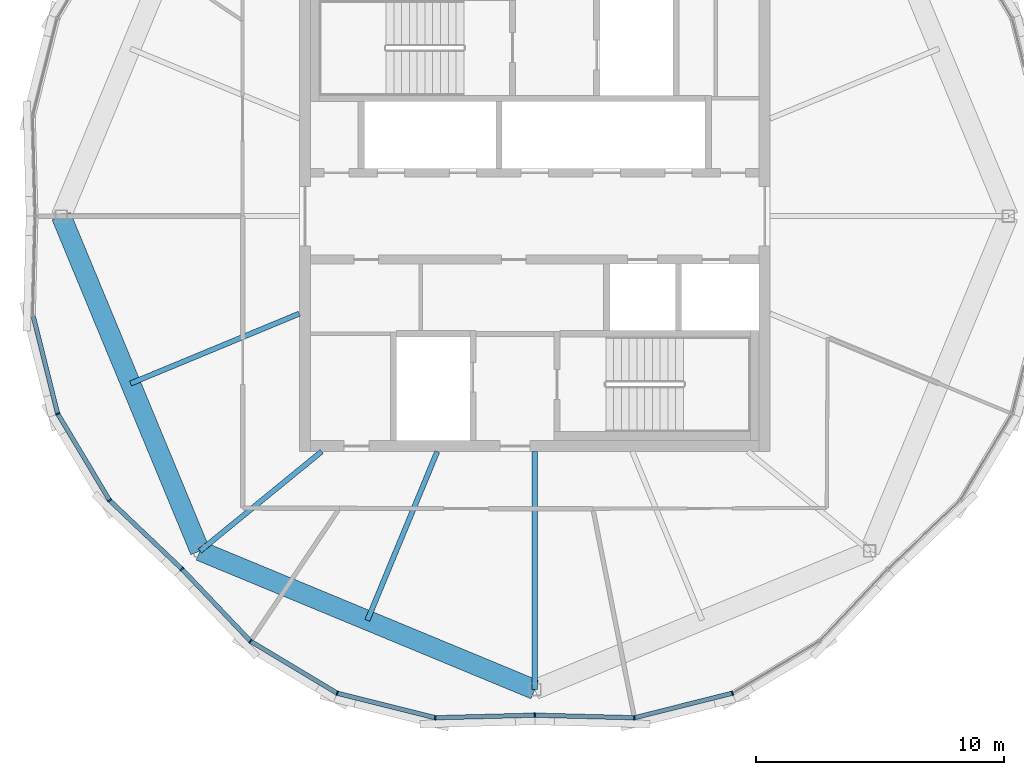
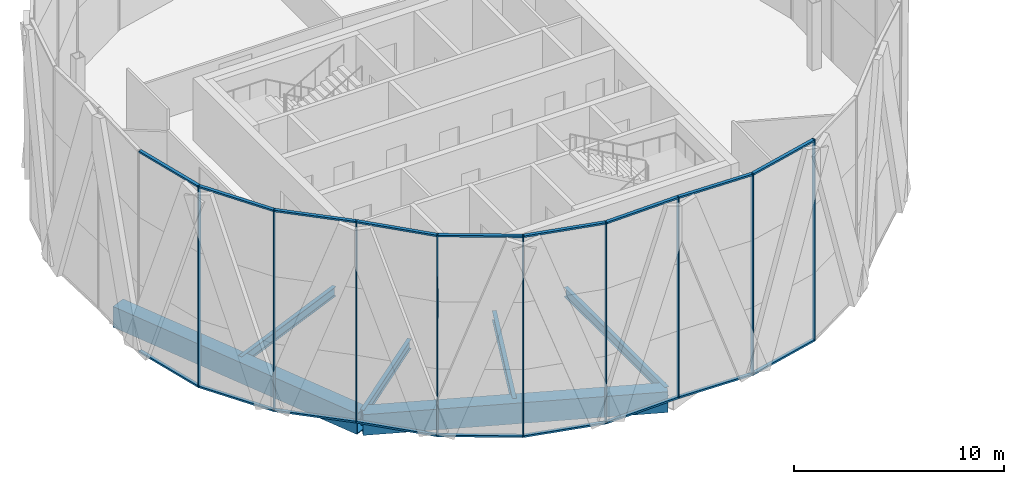
# One storey, part 3 of 22: 27 members, 6 beams, 3 elements without a shape of their own.
"""IFC4 building model written with IfcOpenShell, lengths in metres."""

from ifc_helpers import new_model, si_unit, direction, frame, origin, origin_2d, place, context, subcontext, project, spatial, rectangle, hollow_rectangle, i_section, extrude, material, material_profile, profile_set, type_object, element, aggregate, save


model = new_model("IFC4")

# Units and contexts
model_context = context("Model", 3, precision=1e-05, world=origin(), true_north=direction((0.0, 1.0)))
body_context = subcontext(model_context, "Body", "Model", "MODEL_VIEW")
ifc_project = project(units=[si_unit("LENGTHUNIT", "METRE"), si_unit("AREAUNIT", "SQUARE_METRE"), si_unit("VOLUMEUNIT", "CUBIC_METRE"), si_unit("PLANEANGLEUNIT", "RADIAN"), si_unit("MASSUNIT", "GRAM", prefix="KILO")], contexts=[model_context])

# Site, building, storey
site_placement = place(None, origin())
site = spatial("IfcSite", under=ifc_project, at=site_placement, CompositionType="ELEMENT")
building_placement = place(site_placement, origin())
building = spatial("IfcBuilding", under=site, at=building_placement, Name="Ogive Gate Towers", CompositionType="ELEMENT")
storey_placement = place(building_placement, frame((0.0, 0.0, 228.89990234375)))
storey = spatial("IfcBuildingStorey", under=building, at=storey_placement, Name="L54", CompositionType="ELEMENT", Elevation=228.89990234375)

# Beams
ifc_material_1 = material(Name="Steel SM460", Category="steel")
ifc_material_profile_1 = material_profile(ifc_material_1, hollow_rectangle(XDim=0.800048828125, YDim=1.199951171875, WallThickness=0.050048828125, at=origin_2d()), Name="BX 1200x800x50")
ifc_profile_set_1 = profile_set([ifc_material_profile_1], Name="Steel SM460")
beam_type_1 = type_object("IfcBeamType", Name="Edge girder BX 1200x800x50", PredefinedType="BEAM", material=ifc_profile_set_1)
for number, where, z_axis, x_axis, name in (
    (1, (-49.5126953125, -13.5126953125, -0.89990234375), (0.923872994947, -0.38269921506, 0.0), (0.38269921506, 0.923872994947, 0.0), "T1/L54/SBM017"),
    (2, (-55.110107421875, 0.0, -0.89990234375), (0.38269921506, -0.923872994947, 0.0), (0.923872994947, 0.38269921506, 0.0), "T1/L54/SBM024"),
):
    element("IfcBeam", number, at=place(storey_placement, frame(where, z_axis=z_axis, x_axis=x_axis)), inside=storey, type_object=beam_type_1, Name=name, PredefinedType="BEAM", context=body_context, shape_type="SweptSolid", body=[
        extrude(hollow_rectangle(XDim=0.800048828125, YDim=1.199951171875, WallThickness=0.050048828125, at=origin_2d()), origin(), (0.0, 0.0, 1.0), 14.626220703125),
    ])
ifc_material_2 = material(Name="Steel SM355", Category="steel")
ifc_material_profile_2 = material_profile(ifc_material_2, i_section(OverallWidth=0.2099609375, OverallDepth=0.550048828125, WebThickness=0.010986328125, FlangeThickness=0.01708984375, FilletRadius=0.02392578125, at=origin_2d()), Name="IPE 550")
ifc_profile_set_2 = profile_set([ifc_material_profile_2], Name="Steel SM355")
beam_type_2 = type_object("IfcBeamType", Name="Radial floor beam IPE 550", PredefinedType="BEAM", material=ifc_profile_set_2)
beam_1_placement = place(storey_placement, frame((-44.60009765625, -9.5, -0.574951171875), z_axis=(-0.774474926523, -0.632604606517, 0.0), x_axis=(0.632604606517, -0.774474926523, 0.0)))
element("IfcBeam", 3, at=beam_1_placement, inside=storey, type_object=beam_type_2, Name="T1/L54/SBM001", PredefinedType="BEAM", context=body_context, shape_type="SweptSolid", body=[
    extrude(i_section(OverallWidth=0.2099609375, OverallDepth=0.550048828125, WebThickness=0.010986328125, FlangeThickness=0.01708984375, FilletRadius=0.02392578125, at=origin_2d()), origin(), (0.0, 0.0, 1.0), 6.343017578125),
])
beam_2_placement = place(storey_placement, frame((-39.93505859375, -9.5, -0.574951171875), z_axis=(-0.382667649558, -0.923886069806, 0.0), x_axis=(0.923886069806, -0.382667649558, 0.0)))
element("IfcBeam", 4, at=beam_2_placement, inside=storey, type_object=beam_type_2, Name="T1/L54/SBM002", PredefinedType="BEAM", context=body_context, shape_type="SweptSolid", body=[
    extrude(i_section(OverallWidth=0.2099609375, OverallDepth=0.550048828125, WebThickness=0.010986328125, FlangeThickness=0.01708984375, FilletRadius=0.02392578125, at=origin_2d()), origin(), (0.0, 0.0, 1.0), 7.372802734375),
])
beam_3_placement = place(storey_placement, frame((-36.0, -9.5, -0.574951171875), z_axis=(0.0, -1.0, 0.0), x_axis=(1.0, 0.0, 0.0)))
element("IfcBeam", 5, at=beam_3_placement, inside=storey, type_object=beam_type_2, Name="T1/L54/SBM003", PredefinedType="BEAM", context=body_context, shape_type="SweptSolid", body=[
    extrude(i_section(OverallWidth=0.2099609375, OverallDepth=0.550048828125, WebThickness=0.010986328125, FlangeThickness=0.01708984375, FilletRadius=0.02392578125, at=origin_2d()), origin(), (0.0, 0.0, 1.0), 9.610107421875),
])
beam_4_placement = place(storey_placement, frame((-45.5, -3.93505859375, -0.574951171875), z_axis=(-0.923886069806, -0.382667649558, 0.0), x_axis=(0.382667649558, -0.923886069806, 0.0)))
element("IfcBeam", 6, at=beam_4_placement, inside=storey, type_object=beam_type_2, Name="T1/L54/SBM016", PredefinedType="BEAM", context=body_context, shape_type="SweptSolid", body=[
    extrude(i_section(OverallWidth=0.2099609375, OverallDepth=0.550048828125, WebThickness=0.010986328125, FlangeThickness=0.01708984375, FilletRadius=0.02392578125, at=origin_2d()), origin(), (0.0, 0.0, 1.0), 7.372802734375),
])

# Curtain wall, members
ifc_material_3 = material(Name="Pale metal aluminium", Category="aluminium")
curtain_wall_type = type_object("IfcCurtainWallType", Name="Tower unitised wall, high zone", PredefinedType="NOTDEFINED", material=ifc_material_3)
curtain_wall_1_placement = place(storey_placement, origin())
curtain_wall_1 = element("IfcCurtainWall", 7, at=curtain_wall_1_placement, inside=storey, type_object=curtain_wall_type, Name="CW2 T1 ECW05", PredefinedType="NOTDEFINED")
ifc_material_profile_3 = material_profile(ifc_material_3, rectangle(XDim=0.179931640625, YDim=0.06005859375, at=origin_2d()), Name="60 x 180 aluminium box")
ifc_profile_set_3 = profile_set([ifc_material_profile_3], Name="Pale metal aluminium")
member_type_1 = type_object("IfcMemberType", Name="Tower unitised wall, high zone mullion 60 x 180", PredefinedType="MULLION", material=ifc_profile_set_3)
member_1_placement = place(storey_placement, frame((-55.254638671875, -7.9755859375, -0.2998046875), z_axis=(0.0, 0.0, 1.0), x_axis=(-0.923872853285, -0.382699557047, 0.0)))
member_1 = element("IfcMember", 8, at=member_1_placement, type_object=member_type_1, Name="CW2 mullion", PredefinedType="MULLION", context=body_context, shape_type="SweptSolid", body=[
    extrude(rectangle(XDim=0.179931640625, YDim=0.06005859375, at=origin_2d()), origin(), (0.0, 0.0, 1.0), 11.699951171875),
])
member_2_placement = place(storey_placement, frame((-53.15771484375, -11.473876953125, -0.2998046875), z_axis=(0.0, 0.0, 1.0), x_axis=(-0.780201191521, -0.625528657017, 0.0)))
member_2 = element("IfcMember", 9, at=member_2_placement, type_object=member_type_1, Name="CW2 mullion", PredefinedType="MULLION", context=body_context, shape_type="SweptSolid", body=[
    extrude(rectangle(XDim=0.179931640625, YDim=0.06005859375, at=origin_2d()), origin(), (0.0, 0.0, 1.0), 11.699951171875),
])
member_3_placement = place(storey_placement, frame((-50.2412109375, -14.240966796875, -0.2998046875), z_axis=(0.0, 0.0, 1.0), x_axis=(-0.688329254932, -0.725398398678, 0.0)))
member_3 = element("IfcMember", 10, at=member_3_placement, type_object=member_type_1, Name="CW2 mullion", PredefinedType="MULLION", context=body_context, shape_type="SweptSolid", body=[
    extrude(rectangle(XDim=0.179931640625, YDim=0.06005859375, at=origin_2d()), origin(), (0.0, 0.0, 1.0), 11.699951171875),
])

curtain_wall_2_placement = place(storey_placement, origin())
curtain_wall_2 = element("IfcCurtainWall", 11, at=curtain_wall_2_placement, inside=storey, type_object=curtain_wall_type, Name="CW2 T1 ECW06", PredefinedType="NOTDEFINED")
member_4_placement = place(storey_placement, frame((-47.473876953125, -17.15771484375, -0.2998046875), z_axis=(0.0, 0.0, 1.0), x_axis=(-0.625528657017, -0.780201191521, 0.0)))
member_4 = element("IfcMember", 12, at=member_4_placement, type_object=member_type_1, Name="CW2 mullion", PredefinedType="MULLION", context=body_context, shape_type="SweptSolid", body=[
    extrude(rectangle(XDim=0.179931640625, YDim=0.06005859375, at=origin_2d()), origin(), (0.0, 0.0, 1.0), 11.699951171875),
])
member_5_placement = place(storey_placement, frame((-43.9755859375, -19.254638671875, -0.2998046875), z_axis=(0.0, 0.0, 1.0), x_axis=(-0.382699557047, -0.923872853285, 0.0)))
member_5 = element("IfcMember", 13, at=member_5_placement, type_object=member_type_1, Name="CW2 mullion", PredefinedType="MULLION", context=body_context, shape_type="SweptSolid", body=[
    extrude(rectangle(XDim=0.179931640625, YDim=0.06005859375, at=origin_2d()), origin(), (0.0, 0.0, 1.0), 11.699951171875),
])
member_6_placement = place(storey_placement, frame((-40.01904296875, -20.24560546875, -0.2998046875), z_axis=(0.0, 0.0, 1.0), x_axis=(-0.109369998011, -0.994001108417, 0.0)))
member_6 = element("IfcMember", 14, at=member_6_placement, type_object=member_type_1, Name="CW2 mullion", PredefinedType="MULLION", context=body_context, shape_type="SweptSolid", body=[
    extrude(rectangle(XDim=0.179931640625, YDim=0.06005859375, at=origin_2d()), origin(), (0.0, 0.0, 1.0), 11.699951171875),
])
member_7_placement = place(storey_placement, frame((-36.000244140625, -20.139892578125, -0.2998046875), z_axis=(0.0, 0.0, 1.0), x_axis=(0.026229290207, -0.999655952983, 0.0)))
member_7 = element("IfcMember", 15, at=member_7_placement, type_object=member_type_1, Name="CW2 mullion", PredefinedType="MULLION", context=body_context, shape_type="SweptSolid", body=[
    extrude(rectangle(XDim=0.179931640625, YDim=0.06005859375, at=origin_2d()), origin(), (0.0, 0.0, 1.0), 11.699951171875),
])

curtain_wall_3_placement = place(storey_placement, origin())
curtain_wall_3 = element("IfcCurtainWall", 16, at=curtain_wall_3_placement, inside=storey, type_object=curtain_wall_type, Name="CW2 T1 ECW07", PredefinedType="NOTDEFINED")
member_8_placement = place(storey_placement, frame((-31.98095703125, -20.24560546875, -0.2998046875), z_axis=(0.0, 0.0, 1.0), x_axis=(0.109369998011, -0.994001108417, 0.0)))
member_8 = element("IfcMember", 17, at=member_8_placement, type_object=member_type_1, Name="CW2 mullion", PredefinedType="MULLION", context=body_context, shape_type="SweptSolid", body=[
    extrude(rectangle(XDim=0.179931640625, YDim=0.06005859375, at=origin_2d()), origin(), (0.0, 0.0, 1.0), 11.699951171875),
])
member_9_placement = place(storey_placement, frame((-28.0244140625, -19.254638671875, -0.2998046875), z_axis=(0.0, 0.0, 1.0), x_axis=(0.382699557047, -0.923872853285, 0.0)))
member_9 = element("IfcMember", 18, at=member_9_placement, type_object=member_type_1, Name="CW2 mullion", PredefinedType="MULLION", context=body_context, shape_type="SweptSolid", body=[
    extrude(rectangle(XDim=0.179931640625, YDim=0.06005859375, at=origin_2d()), origin(), (0.0, 0.0, 1.0), 11.699951171875),
])

# Member
ifc_material_profile_4 = material_profile(ifc_material_3, rectangle(XDim=0.179931640625, YDim=0.10009765625, at=origin_2d()), Name="100 x 180 aluminium box")
ifc_profile_set_4 = profile_set([ifc_material_profile_4], Name="Pale metal aluminium")
member_type_2 = type_object("IfcMemberType", Name="Tower unitised wall, high zone transom 100 x 180", PredefinedType="USERDEFINED", material=ifc_profile_set_4)
member_10_placement = place(storey_placement, frame((-56.238525390625, -4.046875, 11.35009765625), z_axis=(0.242949839653, -0.970038852527, 0.0), x_axis=(0.970038852527, 0.242949839653, 0.0)))
member_10 = element("IfcMember", 19, at=member_10_placement, type_object=member_type_2, Name="CW2 transom", ObjectType="TRANSOM", PredefinedType="USERDEFINED", context=body_context, shape_type="SweptSolid", body=[
    extrude(rectangle(XDim=0.179931640625, YDim=0.10009765625, at=origin_2d()), origin(), (0.0, 0.0, 1.0), 4.021728515625),
])

member_11_placement = place(storey_placement, frame((-56.238525390625, -4.046875, -0.25), z_axis=(0.242949839653, -0.970038852527, 0.0), x_axis=(0.970038852527, 0.242949839653, 0.0)))
member_11 = element("IfcMember", 20, at=member_11_placement, type_object=member_type_2, Name="CW2 transom", ObjectType="TRANSOM", PredefinedType="USERDEFINED", context=body_context, shape_type="SweptSolid", body=[
    extrude(rectangle(XDim=0.179931640625, YDim=0.10009765625, at=origin_2d()), origin(), (0.0, 0.0, 1.0), 4.021728515625),
])

member_12_placement = place(storey_placement, frame((-55.239990234375, -8.0, 11.35009765625), z_axis=(0.514192185894, -0.857674994369, 0.0), x_axis=(0.857674994369, 0.514192185894, 0.0)))
member_12 = element("IfcMember", 21, at=member_12_placement, type_object=member_type_2, Name="CW2 transom", ObjectType="TRANSOM", PredefinedType="USERDEFINED", context=body_context, shape_type="SweptSolid", body=[
    extrude(rectangle(XDim=0.179931640625, YDim=0.10009765625, at=origin_2d()), origin(), (0.0, 0.0, 1.0), 4.021484375),
])

member_13_placement = place(storey_placement, frame((-55.239990234375, -8.0, -0.25), z_axis=(0.514192185894, -0.857674994369, 0.0), x_axis=(0.857674994369, 0.514192185894, 0.0)))
member_13 = element("IfcMember", 22, at=member_13_placement, type_object=member_type_2, Name="CW2 transom", ObjectType="TRANSOM", PredefinedType="USERDEFINED", context=body_context, shape_type="SweptSolid", body=[
    extrude(rectangle(XDim=0.179931640625, YDim=0.10009765625, at=origin_2d()), origin(), (0.0, 0.0, 1.0), 4.021484375),
])

member_14_placement = place(storey_placement, frame((-53.13671875, -11.493408203125, 11.35009765625), z_axis=(0.725384001272, -0.688344427375, 0.0), x_axis=(0.688344427375, 0.725384001272, 0.0)))
member_14 = element("IfcMember", 23, at=member_14_placement, type_object=member_type_2, Name="CW2 transom", ObjectType="TRANSOM", PredefinedType="USERDEFINED", context=body_context, shape_type="SweptSolid", body=[
    extrude(rectangle(XDim=0.179931640625, YDim=0.10009765625, at=origin_2d()), origin(), (0.0, 0.0, 1.0), 3.96142578125),
])

member_15_placement = place(storey_placement, frame((-53.13671875, -11.493408203125, -0.25), z_axis=(0.725384001272, -0.688344427375, 0.0), x_axis=(0.688344427375, 0.725384001272, 0.0)))
member_15 = element("IfcMember", 24, at=member_15_placement, type_object=member_type_2, Name="CW2 transom", ObjectType="TRANSOM", PredefinedType="USERDEFINED", context=body_context, shape_type="SweptSolid", body=[
    extrude(rectangle(XDim=0.179931640625, YDim=0.10009765625, at=origin_2d()), origin(), (0.0, 0.0, 1.0), 3.96142578125),
])

aggregate(curtain_wall_1, [member_1, member_10, member_11, member_2, member_12, member_13, member_3, member_14, member_15])

member_16_placement = place(storey_placement, frame((-50.22021484375, -14.26318359375, 11.35009765625), z_axis=(0.688344427375, -0.725384001272, 0.0), x_axis=(0.725384001272, 0.688344427375, 0.0)))
member_16 = element("IfcMember", 25, at=member_16_placement, type_object=member_type_2, Name="CW2 transom", ObjectType="TRANSOM", PredefinedType="USERDEFINED", context=body_context, shape_type="SweptSolid", body=[
    extrude(rectangle(XDim=0.179931640625, YDim=0.10009765625, at=origin_2d()), origin(), (0.0, 0.0, 1.0), 3.96142578125),
])

member_17_placement = place(storey_placement, frame((-50.22021484375, -14.26318359375, -0.25), z_axis=(0.688344427375, -0.725384001272, 0.0), x_axis=(0.725384001272, 0.688344427375, 0.0)))
member_17 = element("IfcMember", 26, at=member_17_placement, type_object=member_type_2, Name="CW2 transom", ObjectType="TRANSOM", PredefinedType="USERDEFINED", context=body_context, shape_type="SweptSolid", body=[
    extrude(rectangle(XDim=0.179931640625, YDim=0.10009765625, at=origin_2d()), origin(), (0.0, 0.0, 1.0), 3.96142578125),
])

member_18_placement = place(storey_placement, frame((-47.44921875, -17.172119140625, 11.35009765625), z_axis=(0.857674994369, -0.514192185894, 0.0), x_axis=(0.514192185894, 0.857674994369, 0.0)))
member_18 = element("IfcMember", 27, at=member_18_placement, type_object=member_type_2, Name="CW2 transom", ObjectType="TRANSOM", PredefinedType="USERDEFINED", context=body_context, shape_type="SweptSolid", body=[
    extrude(rectangle(XDim=0.179931640625, YDim=0.10009765625, at=origin_2d()), origin(), (0.0, 0.0, 1.0), 4.021484375),
])

member_19_placement = place(storey_placement, frame((-47.44921875, -17.172119140625, -0.25), z_axis=(0.857674994369, -0.514192185894, 0.0), x_axis=(0.514192185894, 0.857674994369, 0.0)))
member_19 = element("IfcMember", 28, at=member_19_placement, type_object=member_type_2, Name="CW2 transom", ObjectType="TRANSOM", PredefinedType="USERDEFINED", context=body_context, shape_type="SweptSolid", body=[
    extrude(rectangle(XDim=0.179931640625, YDim=0.10009765625, at=origin_2d()), origin(), (0.0, 0.0, 1.0), 4.021484375),
])

member_20_placement = place(storey_placement, frame((-43.947998046875, -19.261474609375, 11.35009765625), z_axis=(0.970038852527, -0.242949839653, 0.0), x_axis=(0.242949839653, 0.970038852527, 0.0)))
member_20 = element("IfcMember", 29, at=member_20_placement, type_object=member_type_2, Name="CW2 transom", ObjectType="TRANSOM", PredefinedType="USERDEFINED", context=body_context, shape_type="SweptSolid", body=[
    extrude(rectangle(XDim=0.179931640625, YDim=0.10009765625, at=origin_2d()), origin(), (0.0, 0.0, 1.0), 4.021728515625),
])

member_21_placement = place(storey_placement, frame((-43.947998046875, -19.261474609375, -0.25), z_axis=(0.970038852527, -0.242949839653, 0.0), x_axis=(0.242949839653, 0.970038852527, 0.0)))
member_21 = element("IfcMember", 30, at=member_21_placement, type_object=member_type_2, Name="CW2 transom", ObjectType="TRANSOM", PredefinedType="USERDEFINED", context=body_context, shape_type="SweptSolid", body=[
    extrude(rectangle(XDim=0.179931640625, YDim=0.10009765625, at=origin_2d()), origin(), (0.0, 0.0, 1.0), 4.021728515625),
])

member_22_placement = place(storey_placement, frame((-39.990478515625, -20.24462890625, 11.35009765625), z_axis=(0.999656940786, 0.026191615796, 0.0), x_axis=(-0.026191615796, 0.999656940786, 0.0)))
member_22 = element("IfcMember", 31, at=member_22_placement, type_object=member_type_2, Name="CW2 transom", ObjectType="TRANSOM", PredefinedType="USERDEFINED", context=body_context, shape_type="SweptSolid", body=[
    extrude(rectangle(XDim=0.179931640625, YDim=0.10009765625, at=origin_2d()), origin(), (0.0, 0.0, 1.0), 3.961669921875),
])

member_23_placement = place(storey_placement, frame((-39.990478515625, -20.24462890625, -0.25), z_axis=(0.999656940786, 0.026191615796, 0.0), x_axis=(-0.026191615796, 0.999656940786, 0.0)))
member_23 = element("IfcMember", 32, at=member_23_placement, type_object=member_type_2, Name="CW2 transom", ObjectType="TRANSOM", PredefinedType="USERDEFINED", context=body_context, shape_type="SweptSolid", body=[
    extrude(rectangle(XDim=0.179931640625, YDim=0.10009765625, at=origin_2d()), origin(), (0.0, 0.0, 1.0), 3.961669921875),
])

aggregate(curtain_wall_2, [member_4, member_16, member_17, member_5, member_18, member_19, member_6, member_20, member_21, member_7, member_22, member_23])

member_24_placement = place(storey_placement, frame((-35.9697265625, -20.140869140625, 11.35009765625), z_axis=(0.999656940786, -0.026191615796, 0.0), x_axis=(0.026191615796, 0.999656940786, 0.0)))
member_24 = element("IfcMember", 33, at=member_24_placement, type_object=member_type_2, Name="CW2 transom", ObjectType="TRANSOM", PredefinedType="USERDEFINED", context=body_context, shape_type="SweptSolid", body=[
    extrude(rectangle(XDim=0.179931640625, YDim=0.10009765625, at=origin_2d()), origin(), (0.0, 0.0, 1.0), 3.961669921875),
])

member_25_placement = place(storey_placement, frame((-35.9697265625, -20.140869140625, -0.25), z_axis=(0.999656940786, -0.026191615796, 0.0), x_axis=(0.026191615796, 0.999656940786, 0.0)))
member_25 = element("IfcMember", 34, at=member_25_placement, type_object=member_type_2, Name="CW2 transom", ObjectType="TRANSOM", PredefinedType="USERDEFINED", context=body_context, shape_type="SweptSolid", body=[
    extrude(rectangle(XDim=0.179931640625, YDim=0.10009765625, at=origin_2d()), origin(), (0.0, 0.0, 1.0), 3.961669921875),
])

member_26_placement = place(storey_placement, frame((-31.953125, -20.238525390625, 11.35009765625), z_axis=(0.970038852527, 0.242949839653, 0.0), x_axis=(-0.242949839653, 0.970038852527, 0.0)))
member_26 = element("IfcMember", 35, at=member_26_placement, type_object=member_type_2, Name="CW2 transom", ObjectType="TRANSOM", PredefinedType="USERDEFINED", context=body_context, shape_type="SweptSolid", body=[
    extrude(rectangle(XDim=0.179931640625, YDim=0.10009765625, at=origin_2d()), origin(), (0.0, 0.0, 1.0), 4.021728515625),
])

member_27_placement = place(storey_placement, frame((-31.953125, -20.238525390625, -0.25), z_axis=(0.970038852527, 0.242949839653, 0.0), x_axis=(-0.242949839653, 0.970038852527, 0.0)))
member_27 = element("IfcMember", 36, at=member_27_placement, type_object=member_type_2, Name="CW2 transom", ObjectType="TRANSOM", PredefinedType="USERDEFINED", context=body_context, shape_type="SweptSolid", body=[
    extrude(rectangle(XDim=0.179931640625, YDim=0.10009765625, at=origin_2d()), origin(), (0.0, 0.0, 1.0), 4.021728515625),
])

aggregate(curtain_wall_3, [member_8, member_24, member_25, member_9, member_26, member_27])

save(model, "model.ifc")
